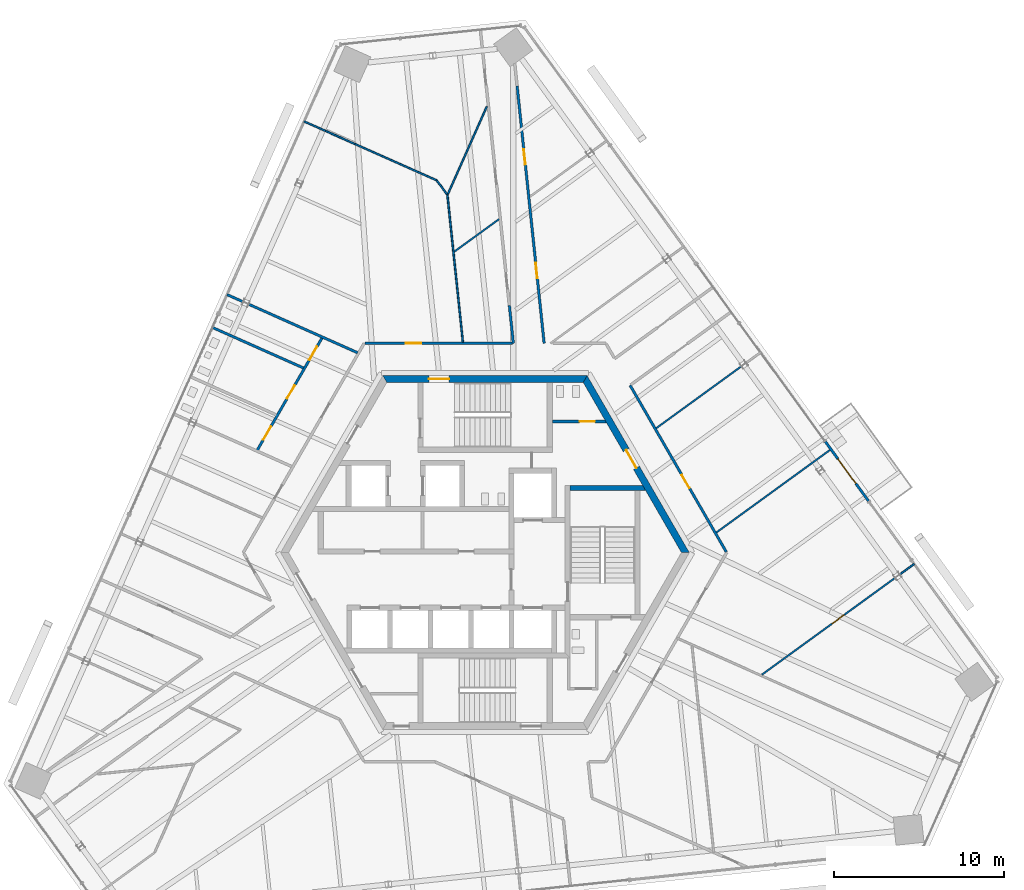
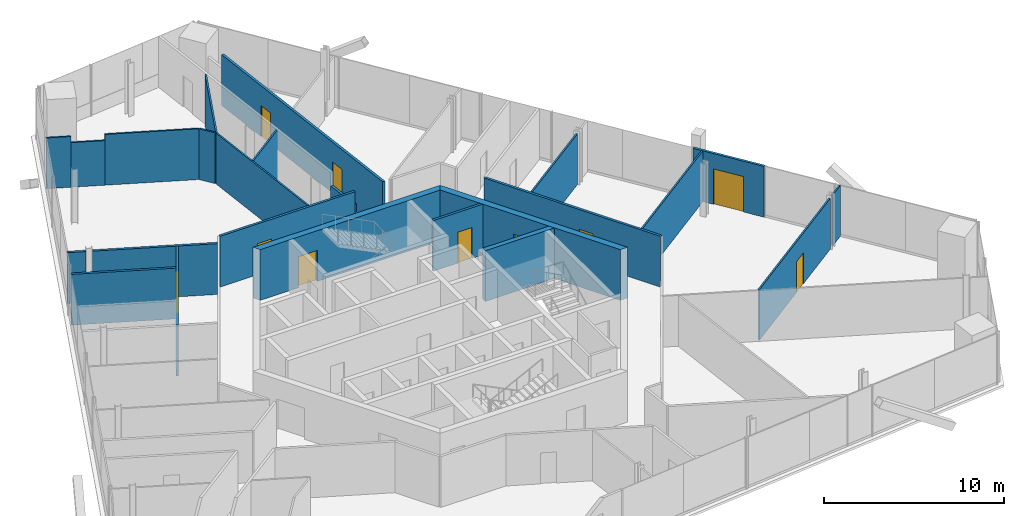
# One storey, part 14 of 19: 24 walls, 12 doors, 12 openings.
"""IFC4 building model written with IfcOpenShell, lengths in metres."""

import ifcopenshell
import ifcopenshell.guid

model = None  # the IFC model being written
_history = None  # IfcOwnerHistory: only IFC2X3 demands one
_inside = {}  # id of a spatial element -> (the spatial element, [elements in it])
_under = {}  # id of a project, library or spatial element -> (it, [spatial elements below it])
_declared = {}  # id of a project -> (the project, [libraries it declares])
_typed = {}  # id of a type object -> (the type object, [elements of that type])
_made_of = {}  # id of a material, layer set ... -> (it, [elements and type objects made of it])


def new_model(schema):
    """Start an empty IFC model of exactly this schema.

    Asked for "IFC4X3", IfcOpenShell would pick the latest addendum, in which some entities
    have other attributes; the version numbers below select the first issue.
    IFC2X3 requires an IfcOwnerHistory on every rooted entity: one is made here for all.
    """
    global model, _history
    if schema == "IFC4X3":
        model = ifcopenshell.file(schema_version=(4, 3, 0, 0))
    else:
        model = ifcopenshell.file(schema=schema)
    _inside.clear()
    _under.clear()
    _declared.clear()
    _typed.clear()
    _made_of.clear()
    _history = None
    if model.schema == "IFC2X3":
        org = make("IfcOrganization", Name="unknown")
        user = make(
            "IfcPersonAndOrganization",
            ThePerson=make("IfcPerson", FamilyName="unknown"),
            TheOrganization=org,
        )
        app = make(
            "IfcApplication",
            ApplicationDeveloper=org,
            Version="unknown",
            ApplicationFullName="unknown",
            ApplicationIdentifier="unknown",
        )
        _history = make(
            "IfcOwnerHistory",
            OwningUser=user,
            OwningApplication=app,
            ChangeAction="ADDED",
            CreationDate=0,
        )
    return model


def make(cls, **values):
    """One entity of the class cls with the attributes given. An attribute that is None is left unset."""
    return model.create_entity(
        cls, **{name: value for name, value in values.items() if value is not None}
    )


def rooted(cls, **values):
    """An entity with a GlobalId (a new one), such as an element, a storey or a relation."""
    return make(cls, GlobalId=ifcopenshell.guid.new(), OwnerHistory=_history, **values)


def si_unit(unit_type, name, prefix=None):
    """IfcSIUnit, for example si_unit("LENGTHUNIT", "METRE", prefix="MILLI")."""
    return make("IfcSIUnit", UnitType=unit_type, Prefix=prefix, Name=name)


def assignment(units):
    """IfcUnitAssignment: the units of a project."""
    return None if units is None else make("IfcUnitAssignment", Units=units)


def point(xyz):
    """IfcCartesianPoint."""
    return None if xyz is None else make("IfcCartesianPoint", Coordinates=xyz)


def direction(xyz):
    """IfcDirection."""
    return None if xyz is None else make("IfcDirection", DirectionRatios=xyz)


def frame(location, z_axis=None, x_axis=None):
    """IfcAxis2Placement3D, a coordinate frame: its origin and axes. An axis left out is left unset."""
    return make(
        "IfcAxis2Placement3D",
        Location=point(location),
        Axis=direction(z_axis),
        RefDirection=direction(x_axis),
    )


def frame_2d(location, x_axis=None):
    """IfcAxis2Placement2D, a coordinate frame in the plane: its origin and x axis."""
    return make(
        "IfcAxis2Placement2D", Location=point(location), RefDirection=direction(x_axis)
    )


def origin():
    """The frame at (0, 0, 0) with its axes left unset."""
    return frame((0.0, 0.0, 0.0))


def place(relative_to, where):
    """IfcLocalPlacement: puts the frame where relative to a parent placement (None: the world)."""
    return make(
        "IfcLocalPlacement", PlacementRelTo=relative_to, RelativePlacement=where
    )


def context(
    kind, dimensions, precision=None, world=None, true_north=None, identifier=None
):
    """IfcGeometricRepresentationContext, for example the 3D "Model" context."""
    return make(
        "IfcGeometricRepresentationContext",
        ContextIdentifier=identifier,
        ContextType=kind,
        CoordinateSpaceDimension=dimensions,
        Precision=precision,
        WorldCoordinateSystem=world,
        TrueNorth=true_north,
    )


def subcontext(parent, identifier, kind, view, scale=None):
    """IfcGeometricRepresentationSubContext, for example "Body" below "Model"."""
    return make(
        "IfcGeometricRepresentationSubContext",
        ContextIdentifier=identifier,
        ContextType=kind,
        ParentContext=parent,
        TargetScale=scale,
        TargetView=view,
    )


def project(units=None, contexts=None):
    """IfcProject with its units and contexts."""
    return rooted(
        "IfcProject",
        Name="project",
        RepresentationContexts=contexts,
        UnitsInContext=assignment(units),
    )


def spatial(cls, under=None, at=None, **own):
    """A site, building, storey or space (cls), placed at a placement, below another one or the project."""
    s = rooted(cls, ObjectPlacement=at, **own)
    if under is not None:
        _under.setdefault(under.id(), (under, []))[1].append(s)
    return s


def polyline(points):
    """IfcPolyline through the points."""
    return make("IfcPolyline", Points=[point(p) for p in points])


def profile(cls, at=None, kind="AREA", **sizes):
    """A parametric profile (cls). Its sizes go by their IFC names, for example OverallWidth=200.0."""
    return make(cls, ProfileType=kind, Position=at, **sizes)


def rectangle(**sizes):
    """IfcRectangleProfileDef."""
    return profile("IfcRectangleProfileDef", **sizes)


def outline(outer, holes=None, kind="AREA"):
    """IfcArbitraryClosedProfileDef: a profile drawn as a closed curve; with holes, ...WithVoids."""
    if holes is None:
        return make("IfcArbitraryClosedProfileDef", ProfileType=kind, OuterCurve=outer)
    return make(
        "IfcArbitraryProfileDefWithVoids",
        ProfileType=kind,
        OuterCurve=outer,
        InnerCurves=holes,
    )


def extrude(swept, where, along, depth):
    """IfcExtrudedAreaSolid: the profile swept, set in the frame where, extruded along a direction by depth."""
    return make(
        "IfcExtrudedAreaSolid",
        SweptArea=swept,
        Position=where,
        ExtrudedDirection=direction(along),
        Depth=depth,
    )


def shape(context_of_items, identifier, shape_type, items):
    """IfcShapeRepresentation: the items that make up one representation, for example the "Body"."""
    return make(
        "IfcShapeRepresentation",
        ContextOfItems=context_of_items,
        RepresentationIdentifier=identifier,
        RepresentationType=shape_type,
        Items=items,
    )


def source(mapping_origin, context_of_items, identifier, shape_type, items):
    """IfcRepresentationMap: a shape defined once, which mapped items show again and again."""
    return make(
        "IfcRepresentationMap",
        MappingOrigin=mapping_origin,
        MappedRepresentation=shape(context_of_items, identifier, shape_type, items),
    )


def transform(
    local_origin,
    x_axis=None,
    y_axis=None,
    z_axis=None,
    scale=None,
    scale2=None,
    scale3=None,
    uniform=True,
):
    """IfcCartesianTransformationOperator3D, or its non-uniform kind. x_axis, y_axis, z_axis: its Axis1, 2, 3."""
    if uniform:
        return make(
            "IfcCartesianTransformationOperator3D",
            Axis1=direction(x_axis),
            Axis2=direction(y_axis),
            LocalOrigin=point(local_origin),
            Scale=scale,
            Axis3=direction(z_axis),
        )
    return make(
        "IfcCartesianTransformationOperator3DnonUniform",
        Axis1=direction(x_axis),
        Axis2=direction(y_axis),
        LocalOrigin=point(local_origin),
        Scale=scale,
        Axis3=direction(z_axis),
        Scale2=scale2,
        Scale3=scale3,
    )


def mapped(mapping_source, mapping_target):
    """IfcMappedItem: shows the shape of a source again, moved by a transform."""
    return make(
        "IfcMappedItem", MappingSource=mapping_source, MappingTarget=mapping_target
    )


def material(Name=None, Category=None):
    """IfcMaterial."""
    return make("IfcMaterial", Name=Name, Category=Category)


def layer(
    of_material, thickness, ventilated=None, Name=None, Category=None, Priority=None
):
    """IfcMaterialLayer: one layer of a wall or slab, of a material (None: an air gap)."""
    return make(
        "IfcMaterialLayer",
        Material=of_material,
        LayerThickness=thickness,
        IsVentilated=ventilated,
        Name=Name,
        Category=Category,
        Priority=Priority,
    )


def layer_set(layers, Name=None):
    """IfcMaterialLayerSet."""
    return make("IfcMaterialLayerSet", MaterialLayers=layers, LayerSetName=Name)


def made_of(thing, what):
    """Note that an element or type object is made of a material, layer set ...; save() writes the relation."""
    if what is not None:
        _made_of.setdefault(what.id(), (what, []))[1].append(thing)
    return thing


def type_object(cls, material=None, **own):
    """A type object (cls), such as IfcWallType, which elements share."""
    return made_of(rooted(cls, **own), material)


def element(
    cls,
    number,
    at=None,
    inside=None,
    cuts=None,
    type_object=None,
    material=None,
    context=None,
    identifier="Body",
    shape_type=None,
    held_by="IfcProductDefinitionShape",
    body=None,
    shapes=None,
    **own,
):
    """One element of the class cls, such as IfcWall. Its Tag is "e" and its number.

    at: its placement. inside: the storey or other place that contains it. cuts: it is an
    opening in that element (IfcRelVoidsElement). A single representation is given by context,
    identifier, shape_type and body (its items); several are given by shapes. held_by: the class
    of the entity that holds the representations. save() writes the other relations.
    """
    e = rooted(cls, Tag="e%d" % number, ObjectPlacement=at, **own)
    if body is not None:
        shapes = [shape(context, identifier, shape_type, body)]
    if shapes is not None:
        e.Representation = make(held_by, Representations=shapes)
    if inside is not None:
        _inside.setdefault(inside.id(), (inside, []))[1].append(e)
    if cuts is not None:
        rooted(
            "IfcRelVoidsElement", RelatingBuildingElement=cuts, RelatedOpeningElement=e
        )
    if type_object is not None:
        _typed.setdefault(type_object.id(), (type_object, []))[1].append(e)
    return made_of(e, material)


def fill(opening, filler):
    """IfcRelFillsElement: the door or window that sits in an opening."""
    return rooted(
        "IfcRelFillsElement",
        RelatingOpeningElement=opening,
        RelatedBuildingElement=filler,
    )


def aggregate(whole, parts):
    """IfcRelAggregates: a whole, such as a stair, and the parts it consists of."""
    return rooted("IfcRelAggregates", RelatingObject=whole, RelatedObjects=parts)


def save(model, path):
    """Write the relations noted so far, then the file.

    IfcRelAggregates (storeys below a building ...), IfcRelContainedInSpatialStructure (elements
    in a storey), IfcRelDefinesByType, IfcRelAssociatesMaterial and IfcRelDeclares: one each for
    every whole, place, type object, material and project.
    """
    for whole, parts in _under.values():
        aggregate(whole, parts)
    for where, things in _inside.values():
        rooted(
            "IfcRelContainedInSpatialStructure",
            RelatedElements=things,
            RelatingStructure=where,
        )
    for kind, things in _typed.values():
        rooted("IfcRelDefinesByType", RelatedObjects=things, RelatingType=kind)
    for what, things in _made_of.values():
        rooted("IfcRelAssociatesMaterial", RelatedObjects=things, RelatingMaterial=what)
    for by, libraries in _declared.values():
        rooted("IfcRelDeclares", RelatingContext=by, RelatedDefinitions=libraries)
    model.write(path)


model = new_model("IFC4")

# Units and contexts
model_context = context("Model", 3, precision=1e-05, world=origin(), true_north=direction((0.0, 1.0)))
body_context = subcontext(model_context, "Body", "Model", "MODEL_VIEW")
ifc_project = project(units=[si_unit("LENGTHUNIT", "METRE"), si_unit("AREAUNIT", "SQUARE_METRE"), si_unit("VOLUMEUNIT", "CUBIC_METRE"), si_unit("PLANEANGLEUNIT", "RADIAN"), si_unit("MASSUNIT", "GRAM", prefix="KILO")], contexts=[model_context])

# Site, building, storey
site_placement = place(None, origin())
site = spatial("IfcSite", under=ifc_project, at=site_placement, CompositionType="ELEMENT")
building_placement = place(site_placement, origin())
building = spatial("IfcBuilding", under=site, at=building_placement, Name="Triune Harvest Tower", CompositionType="ELEMENT")
storey_placement = place(building_placement, frame((0.0, 0.0, 223.300048828125)))
storey = spatial("IfcBuildingStorey", under=building, at=storey_placement, Name="L58", CompositionType="ELEMENT", Elevation=223.300048828125)

# Wall, opening, door
ifc_material_1 = material(Name="Gypsum board on steel studs", Category="steel")
ifc_layer_1 = layer(ifc_material_1, 0.14990234375)
ifc_layer_set_1 = layer_set([ifc_layer_1], Name="Gypsum board on steel studs")
wall_type_1 = type_object("IfcWallType", Name="Fire Partition 150 mm", PredefinedType="PARTITIONING", material=ifc_layer_set_1)
wall_1_placement = place(storey_placement, frame((8.521484375, 9.82470703125, 0.0), z_axis=(0.0, 0.0, 1.0), x_axis=(0.499991269391, -0.866030444345, 0.0)))
wall_1 = element("IfcWall", 1, at=wall_1_placement, inside=storey, type_object=wall_type_1, Name="Partition L58 012", PredefinedType="PARTITIONING", context=body_context, shape_type="SweptSolid", body=[
    extrude(rectangle(XDim=11.294677734375, YDim=0.14990234375, at=frame_2d((5.6474609375, 0.0))), origin(), (0.0, 0.0, 1.0), 3.43994140625),
])
opening_1_placement = place(wall_1_placement, frame((6.0771484375, 0.0, 0.0)))
opening_1 = element("IfcOpeningElement", 2, at=opening_1_placement, cuts=wall_1, Name="Opening L58-003", PredefinedType="OPENING", context=body_context, shape_type="SweptSolid", body=[
    extrude(rectangle(XDim=0.89990234375, YDim=2.10009765625, at=frame_2d((0.449951171875, 1.050048828125))), frame((0.0, 0.0849609375, 0.0), z_axis=(0.0, -1.0, 0.0), x_axis=(1.0, 0.0, 0.0)), (0.0, 0.0, 1.0), 0.169921875),
])
ifc_material_2 = material(Name="Timber and steel door set", Category="steel")
door_type_1 = type_object("IfcDoorType", Name="Single leaf door FD30 right hand 900 x 2100", OperationType="SINGLE_SWING_RIGHT", PredefinedType="DOOR", material=ifc_material_2)
door_1_placement = place(opening_1_placement, origin())
door_1 = element("IfcDoor", 3, at=door_1_placement, inside=storey, type_object=door_type_1, Name="Door L58-003 Pantry 58.03", OperationType="SINGLE_SWING_RIGHT", OverallHeight=2.10009765625, OverallWidth=0.89990234375, PredefinedType="DOOR", context=body_context, shape_type="SweptSolid", body=[
    extrude(rectangle(XDim=0.89990234375, YDim=2.10009765625, at=frame_2d((0.449951171875, 1.050048828125))), frame((0.0, 0.02490234375, 0.0), z_axis=(0.0, -1.0, 0.0), x_axis=(1.0, 0.0, 0.0)), (0.0, 0.0, 1.0), 0.050048828125),
])
fill(opening_1, door_1)

# Walls
ifc_material_3 = material(Name="Gypsum board on steel studs", Category="steel")
ifc_layer_2 = layer(ifc_material_3, 0.10009765625)
ifc_layer_set_2 = layer_set([ifc_layer_2], Name="Gypsum board on steel studs")
wall_type_2 = type_object("IfcWallType", Name="Partition 100 mm", PredefinedType="PARTITIONING", material=ifc_layer_set_2)
wall_2_placement = place(storey_placement, frame((-2.822021484375, 21.84619140625, 0.0), z_axis=(0.0, 0.0, 1.0), x_axis=(0.58784773795, -0.8089715922, 0.0)))
element("IfcWall", 4, at=wall_2_placement, inside=storey, type_object=wall_type_2, Name="Partition L58 013", PredefinedType="PARTITIONING", context=body_context, shape_type="SweptSolid", body=[
    extrude(rectangle(XDim=0.98583984375, YDim=0.10009765625, at=frame_2d((0.492919921875, 0.0))), origin(), (0.0, 0.0, 1.0), 3.43994140625),
])
wall_3_placement = place(storey_placement, frame((-10.62158203125, 25.32421875, 0.0), z_axis=(0.0, 0.0, 1.0), x_axis=(0.913553788903, -0.406717930242, 0.0)))
element("IfcWall", 5, at=wall_3_placement, inside=storey, type_object=wall_type_2, Name="Partition L58 033", PredefinedType="PARTITIONING", context=body_context, shape_type="SweptSolid", body=[
    extrude(rectangle(XDim=1.367919921875, YDim=0.10009765625, at=frame_2d((0.68408203125, 0.0))), origin(), (0.0, 0.0, 1.0), 3.43994140625),
])
wall_4_placement = place(storey_placement, frame((-9.371826171875, 24.767822265625, 0.0), z_axis=(0.0, 0.0, 1.0), x_axis=(0.913514392533, -0.406806409285, 0.0)))
element("IfcWall", 6, at=wall_4_placement, inside=storey, type_object=wall_type_2, Name="Partition L58 033a", PredefinedType="PARTITIONING", context=body_context, shape_type="SweptSolid", body=[
    extrude(rectangle(XDim=1.89892578125, YDim=0.10009765625, at=frame_2d((0.949462890625, 0.0))), origin(), (0.0, 0.0, 1.0), 3.0234375),
])
wall_5_placement = place(storey_placement, frame((-7.63720703125, 23.995361328125, 0.0), z_axis=(0.0, 0.0, 1.0), x_axis=(0.913555105061, -0.406714973927, 0.0)))
element("IfcWall", 7, at=wall_5_placement, inside=storey, type_object=wall_type_2, Name="Partition L58 033b", PredefinedType="PARTITIONING", context=body_context, shape_type="SweptSolid", body=[
    extrude(rectangle(XDim=5.264404296875, YDim=0.10009765625, at=frame_2d((2.63232421875, 0.0))), origin(), (0.0, 0.0, 1.0), 3.43994140625),
])

# Wall, opening, door
wall_6_placement = place(storey_placement, frame((16.25830078125, -7.172119140625, 0.0), z_axis=(0.0, 0.0, 1.0), x_axis=(0.809027108571, 0.587771331044, 0.0)))
wall_6 = element("IfcWall", 8, at=wall_6_placement, inside=storey, type_object=wall_type_2, Name="Partition L58 039", PredefinedType="PARTITIONING", context=body_context, shape_type="SweptSolid", body=[
    extrude(rectangle(XDim=9.6826171875, YDim=0.10009765625, at=frame_2d((4.84130859375, 0.0))), origin(), (0.0, 0.0, 1.0), 3.43994140625),
])
opening_2_placement = place(wall_6_placement, frame((5.080078125, 0.0, 0.0)))
opening_2 = element("IfcOpeningElement", 9, at=opening_2_placement, cuts=wall_6, Name="Opening L58-001", PredefinedType="OPENING", context=body_context, shape_type="SweptSolid", body=[
    extrude(rectangle(XDim=0.89990234375, YDim=2.10009765625, at=frame_2d((0.449951171875, 1.050048828125))), frame((0.0, 0.06005859375, 0.0), z_axis=(0.0, -1.0, 0.0), x_axis=(1.0, 0.0, 0.0)), (0.0, 0.0, 1.0), 0.1201171875),
])
ifc_material_4 = material(Name="Timber and steel door set", Category="steel")
door_type_2 = type_object("IfcDoorType", Name="Single leaf door left hand 900 x 2100", OperationType="SINGLE_SWING_LEFT", PredefinedType="DOOR", material=ifc_material_4)
door_2_placement = place(opening_2_placement, origin())
door_2 = element("IfcDoor", 10, at=door_2_placement, inside=storey, type_object=door_type_2, Name="Door L58-001 Reception 58.01", OperationType="SINGLE_SWING_LEFT", OverallHeight=2.10009765625, OverallWidth=0.89990234375, PredefinedType="DOOR", context=body_context, shape_type="SweptSolid", body=[
    extrude(rectangle(XDim=0.89990234375, YDim=2.10009765625, at=frame_2d((0.449951171875, 1.050048828125))), frame((0.0, 0.02490234375, 0.0), z_axis=(0.0, -1.0, 0.0), x_axis=(1.0, 0.0, 0.0)), (0.0, 0.0, 1.0), 0.050048828125),
])
fill(opening_2, door_2)

# Walls
wall_7_placement = place(storey_placement, frame((13.583740234375, 1.17626953125, 0.0), z_axis=(0.0, 0.0, 1.0), x_axis=(0.809021407685, 0.587779177845, 0.0)))
element("IfcWall", 11, at=wall_7_placement, inside=storey, type_object=wall_type_2, Name="Partition L58 041", PredefinedType="PARTITIONING", context=body_context, shape_type="SweptSolid", body=[
    extrude(rectangle(XDim=8.322509765625, YDim=0.10009765625, at=frame_2d((4.1611328125, 0.0))), origin(), (0.0, 0.0, 1.0), 3.43994140625),
])
wall_8_placement = place(storey_placement, frame((-1.805419921875, 17.673095703125, 0.0), z_axis=(0.0, 0.0, 1.0), x_axis=(0.809045091353, 0.587746578177, 0.0)))
element("IfcWall", 12, at=wall_8_placement, inside=storey, type_object=wall_type_2, Name="Partition L58 053", PredefinedType="PARTITIONING", context=body_context, shape_type="SweptSolid", body=[
    extrude(rectangle(XDim=3.24462890625, YDim=0.10009765625, at=frame_2d((1.622314453125, 0.0))), origin(), (0.0, 0.0, 1.0), 3.43994140625),
])
wall_9_placement = place(storey_placement, frame((-2.202880859375, 21.009033203125, 0.0), z_axis=(0.0, 0.0, 1.0), x_axis=(0.406752615451, 0.913538346116, 0.0)))
element("IfcWall", 13, at=wall_9_placement, inside=storey, type_object=wall_type_2, Name="Partition L58 060", PredefinedType="PARTITIONING", context=body_context, shape_type="SweptSolid", body=[
    extrude(rectangle(XDim=5.67919921875, YDim=0.10009765625, at=frame_2d((2.839599609375, 0.0))), origin(), (0.0, 0.0, 1.0), 3.43994140625),
])

# Wall, opening, door
ifc_material_5 = material(Name="Concrete 70 MPa", Category="concrete")
ifc_layer_3 = layer(ifc_material_5, 0.39990234375)
ifc_layer_set_3 = layer_set([ifc_layer_3], Name="Concrete 70 MPa")
wall_type_3 = type_object("IfcWallType", Name="Core wall 400", PredefinedType="SHEAR", material=ifc_layer_set_3)
shared_shape_1 = source(origin(), body_context, "Body", "SweptSolid", [
    extrude(outline(polyline([(-0.115478515625, -0.199951171875), (11.884521484375, -0.199951171875), (11.653564453125, 0.199951171875), (0.115478515625, 0.199951171875), (-0.115478515625, -0.199951171875)])), origin(), (0.0, 0.0, 1.0), 3.43994140625),
])
wall_10_placement = place(storey_placement, frame((11.76904296875, 0.0, 0.0), z_axis=(0.0, 0.0, 1.0), x_axis=(-0.499996592174, 0.866027371285, 0.0)))
wall_10 = element("IfcWall", 14, at=wall_10_placement, inside=storey, type_object=wall_type_3, Name="Hexagon 0 wall", PredefinedType="SHEAR", context=body_context, shape_type="MappedRepresentation", body=[
    mapped(shared_shape_1, transform((0.0, 0.0, 0.0), scale=1.0)),
])
opening_3_placement = place(wall_10_placement, frame((5.75048828125, 0.0, 0.0)))
opening_3 = element("IfcOpeningElement", 15, at=opening_3_placement, cuts=wall_10, Name="Opening CD-WCP", PredefinedType="OPENING", context=body_context, shape_type="SweptSolid", body=[
    extrude(rectangle(XDim=1.199951171875, YDim=2.10009765625, at=frame_2d((0.60009765625, 1.050048828125))), frame((0.0, 0.2099609375, 0.0), z_axis=(0.0, -1.0, 0.0), x_axis=(1.0, 0.0, 0.0)), (0.0, 0.0, 1.0), 0.419921875),
])
ifc_material_6 = material(Name="Steel S235", Category="steel")
door_type_3 = type_object("IfcDoorType", Name="Lobby door 1200 FD120", OperationType="SINGLE_SWING_LEFT", PredefinedType="DOOR", material=ifc_material_6)
door_3_placement = place(opening_3_placement, frame((1.199951171875, 0.0, 0.0), z_axis=(0.0, 0.0, 1.0), x_axis=(-1.0, 0.0, 0.0)))
door_3 = element("IfcDoor", 16, at=door_3_placement, inside=storey, type_object=door_type_3, Name="Door CD-WCP", OperationType="SINGLE_SWING_RIGHT", OverallHeight=2.10009765625, OverallWidth=1.199951171875, PredefinedType="DOOR", context=body_context, shape_type="SweptSolid", body=[
    extrude(rectangle(XDim=1.199951171875, YDim=2.10009765625, at=frame_2d((0.60009765625, 1.050048828125))), frame((0.0, 0.02490234375, 0.0), z_axis=(0.0, -1.0, 0.0), x_axis=(1.0, 0.0, 0.0)), (0.0, 0.0, 1.0), 0.050048828125),
])
fill(opening_3, door_3)

wall_11_placement = place(storey_placement, frame((5.884521484375, 10.1923828125, 0.0), z_axis=(0.0, 0.0, 1.0), x_axis=(-1.0, 0.0, 0.0)))
wall_11 = element("IfcWall", 17, at=wall_11_placement, inside=storey, type_object=wall_type_3, Name="Hexagon 1 wall", PredefinedType="SHEAR", context=body_context, shape_type="MappedRepresentation", body=[
    mapped(shared_shape_1, transform((0.0, 0.0, 0.0), scale=1.0)),
])
opening_4_placement = place(wall_11_placement, frame((7.984619140625, 0.0, 0.0)))
opening_4 = element("IfcOpeningElement", 18, at=opening_4_placement, cuts=wall_11, Name="Opening CD-S1P", PredefinedType="OPENING", context=body_context, shape_type="SweptSolid", body=[
    extrude(rectangle(XDim=1.199951171875, YDim=2.10009765625, at=frame_2d((0.60009765625, 1.050048828125))), frame((0.0, 0.2099609375, 0.0), z_axis=(0.0, -1.0, 0.0), x_axis=(1.0, 0.0, 0.0)), (0.0, 0.0, 1.0), 0.419921875),
])
ifc_material_7 = material(Name="Steel S235", Category="steel")
door_type_4 = type_object("IfcDoorType", Name="Stair door 1200 FD120", OperationType="SINGLE_SWING_LEFT", PredefinedType="DOOR", material=ifc_material_7)
door_4_placement = place(opening_4_placement, frame((1.199951171875, 0.0, 0.0), z_axis=(0.0, 0.0, 1.0), x_axis=(-1.0, 0.0, 0.0)))
door_4 = element("IfcDoor", 19, at=door_4_placement, inside=storey, type_object=door_type_4, Name="Door CD-S1P", OperationType="SINGLE_SWING_RIGHT", OverallHeight=2.10009765625, OverallWidth=1.199951171875, PredefinedType="DOOR", context=body_context, shape_type="SweptSolid", body=[
    extrude(rectangle(XDim=1.199951171875, YDim=2.10009765625, at=frame_2d((0.60009765625, 1.050048828125))), frame((0.0, 0.02490234375, 0.0), z_axis=(0.0, -1.0, 0.0), x_axis=(1.0, 0.0, 0.0)), (0.0, 0.0, 1.0), 0.050048828125),
])
fill(opening_4, door_4)

# Wall
ifc_material_8 = material(Name="Concrete 70 MPa", Category="concrete")
ifc_layer_4 = layer(ifc_material_8, 0.300048828125)
ifc_layer_set_4 = layer_set([ifc_layer_4], Name="Concrete 70 MPa")
wall_type_4 = type_object("IfcWallType", Name="Core wall 300", PredefinedType="SHEAR", material=ifc_layer_set_4)
shared_shape_2 = source(origin(), body_context, "Body", "SweptSolid", [
    extrude(outline(polyline([(0.0, -0.14990234375), (0.0, 0.14990234375), (4.260009765625, 0.14990234375), (4.43310546875, -0.14990234375), (0.0, -0.14990234375)])), origin(), (0.0, 0.0, 1.0), 3.43994140625),
])
wall_12_placement = place(storey_placement, frame((5.0, 3.800048828125, 0.0), z_axis=(0.0, 0.0, 1.0), x_axis=(1.0, 0.0, 0.0)))
element("IfcWall", 20, at=wall_12_placement, inside=storey, type_object=wall_type_4, Name="Stair e north wall", PredefinedType="SHEAR", context=body_context, shape_type="MappedRepresentation", body=[
    mapped(shared_shape_2, transform((0.0, 0.0, 0.0), scale=1.0)),
])

# Wall, opening, door
ifc_material_9 = material(Name="Concrete masonry unit", Category="masonry")
ifc_layer_5 = layer(ifc_material_9, 0.14990234375)
ifc_layer_set_5 = layer_set([ifc_layer_5], Name="Concrete masonry unit")
wall_type_5 = type_object("IfcWallType", Name="Block partition 150 unrated", PredefinedType="PARTITIONING", material=ifc_layer_set_5)
shared_shape_3 = source(origin(), body_context, "Body", "SweptSolid", [
    extrude(outline(polyline([(0.0, -0.074951171875), (0.0, 0.074951171875), (3.1015625, 0.074951171875), (3.18798828125, -0.074951171875), (0.0, -0.074951171875)])), origin(), (0.0, 0.0, 1.0), 3.43994140625),
])
wall_13_placement = place(storey_placement, frame((3.949951171875, 7.699951171875, 0.0), z_axis=(0.0, 0.0, 1.0), x_axis=(1.0, 0.0, 0.0)))
wall_13 = element("IfcWall", 21, at=wall_13_placement, inside=storey, type_object=wall_type_5, Name="Wc women south wall", PredefinedType="PARTITIONING", context=body_context, shape_type="MappedRepresentation", body=[
    mapped(shared_shape_3, transform((0.0, 0.0, 0.0), scale=1.0)),
])
opening_5_placement = place(wall_13_placement, frame((1.60009765625, 0.0, 0.0)))
opening_5 = element("IfcOpeningElement", 22, at=opening_5_placement, cuts=wall_13, Name="Opening CD-WW", PredefinedType="OPENING", context=body_context, shape_type="SweptSolid", body=[
    extrude(rectangle(XDim=0.89990234375, YDim=2.10009765625, at=frame_2d((0.449951171875, 1.050048828125))), frame((0.0, 0.0849609375, 0.0), z_axis=(0.0, -1.0, 0.0), x_axis=(1.0, 0.0, 0.0)), (0.0, 0.0, 1.0), 0.169921875),
])
ifc_material_10 = material(Name="Timber C24", Category="wood")
door_type_5 = type_object("IfcDoorType", Name="WC door 900", OperationType="SINGLE_SWING_LEFT", PredefinedType="DOOR", material=ifc_material_10)
door_5_placement = place(opening_5_placement, origin())
door_5 = element("IfcDoor", 23, at=door_5_placement, inside=storey, type_object=door_type_5, Name="Door CD-WW", OperationType="SINGLE_SWING_LEFT", OverallHeight=2.10009765625, OverallWidth=0.89990234375, PredefinedType="DOOR", context=body_context, shape_type="SweptSolid", body=[
    extrude(rectangle(XDim=0.89990234375, YDim=2.10009765625, at=frame_2d((0.449951171875, 1.050048828125))), frame((0.0, 0.02490234375, 0.0), z_axis=(0.0, -1.0, 0.0), x_axis=(1.0, 0.0, 0.0)), (0.0, 0.0, 1.0), 0.050048828125),
])
fill(opening_5, door_5)

ifc_material_11 = material(Name="Aluminium bronze anodised", Category="aluminium")
ifc_layer_6 = layer(ifc_material_11, 0.14990234375)
ifc_layer_set_6 = layer_set([ifc_layer_6], Name="Aluminium bronze anodised")
wall_type_6 = type_object("IfcWallType", Name="WW-2 balcony window wall", PredefinedType="ELEMENTEDWALL", material=ifc_layer_set_6)
shared_shape_4 = source(origin(), body_context, "Body", "SweptSolid", [
    extrude(rectangle(XDim=4.31640625, YDim=0.14990234375, at=frame_2d((2.158203125, 0.0))), origin(), (0.0, 0.0, 1.0), 3.43994140625),
])
wall_14_placement = place(storey_placement, frame((19.98876953125, 6.519775390625, 0.0), z_axis=(0.0, 0.0, 1.0), x_axis=(0.587768063577, -0.809029482429, 0.0)))
wall_14 = element("IfcWall", 24, at=wall_14_placement, inside=storey, type_object=wall_type_6, Name="WW-2 B6-F1 L58.4", PredefinedType="ELEMENTEDWALL", context=body_context, shape_type="MappedRepresentation", body=[
    mapped(shared_shape_4, transform((0.0, 0.0, 0.0), scale=1.0)),
])
opening_6_placement = place(wall_14_placement, frame((1.25830078125, 0.0, 0.0)))
opening_6 = element("IfcOpeningElement", 25, at=opening_6_placement, cuts=wall_14, Name="Opening L58-E01", PredefinedType="OPENING", context=body_context, shape_type="SweptSolid", body=[
    extrude(rectangle(XDim=1.800048828125, YDim=2.39990234375, at=frame_2d((0.89990234375, 1.199951171875))), frame((0.0, 0.0849609375, 0.0), z_axis=(0.0, -1.0, 0.0), x_axis=(1.0, 0.0, 0.0)), (0.0, 0.0, 1.0), 0.169921875),
])
ifc_material_12 = material(Name="Glass", Category="glass")
door_type_6 = type_object("IfcDoorType", Name="DB-1 balcony door 1800 x 2400", OperationType="DOUBLE_DOOR_SINGLE_SWING", PredefinedType="DOOR", material=ifc_material_12)
door_6_placement = place(opening_6_placement, origin())
door_6 = element("IfcDoor", 26, at=door_6_placement, inside=storey, type_object=door_type_6, Name="Door L58-E01", OperationType="DOUBLE_DOOR_SINGLE_SWING", OverallHeight=2.39990234375, OverallWidth=1.800048828125, PredefinedType="DOOR", context=body_context, shape_type="SweptSolid", body=[
    extrude(rectangle(XDim=1.800048828125, YDim=2.39990234375, at=frame_2d((0.89990234375, 1.199951171875))), frame((0.0, 0.02490234375, 0.0), z_axis=(0.0, -1.0, 0.0), x_axis=(1.0, 0.0, 0.0)), (0.0, 0.0, 1.0), 0.050048828125),
])
fill(opening_6, door_6)

# Walls
shared_shape_5 = source(origin(), body_context, "Body", "SweptSolid", [
    extrude(rectangle(XDim=8.695556640625, YDim=0.10009765625, at=frame_2d((4.34765625, 0.0))), origin(), (0.0, 0.0, 1.0), 3.43994140625),
])
wall_15_placement = place(storey_placement, frame((-2.207275390625, 21.0, 0.0), z_axis=(0.0, 0.0, 1.0), x_axis=(0.104528401575, -0.994521901852, 0.0)))
element("IfcWall", 27, at=wall_15_placement, inside=storey, type_object=wall_type_2, Name="Partition L58 001", PredefinedType="PARTITIONING", context=body_context, shape_type="MappedRepresentation", body=[
    mapped(shared_shape_5, transform((0.0, 0.0, 0.0), scale=1.0)),
])
shared_shape_6 = source(origin(), body_context, "Body", "SweptSolid", [
    extrude(rectangle(XDim=1.0478515625, YDim=0.10009765625, at=frame_2d((0.52392578125, 0.0))), origin(), (0.0, 0.0, 1.0), 3.43994140625),
])
wall_16_placement = place(storey_placement, frame((24.36328125, -1.28369140625, 0.0), z_axis=(0.0, 0.0, 1.0), x_axis=(0.808967759712, 0.587853012025, 0.0)))
element("IfcWall", 28, at=wall_16_placement, inside=storey, type_object=wall_type_2, Name="Partition L58 040", PredefinedType="PARTITIONING", context=body_context, shape_type="MappedRepresentation", body=[
    mapped(shared_shape_6, transform((0.0, 0.0, 0.0), scale=1.0)),
])
shared_shape_7 = source(origin(), body_context, "Body", "SweptSolid", [
    extrude(rectangle(XDim=2.226318359375, YDim=0.14990234375, at=frame_2d((1.11328125, 0.0))), origin(), (0.0, 0.0, 1.0), 2.525634765625),
])
wall_17_placement = place(storey_placement, frame((1.43115234375, 14.50634765625, 0.0), z_axis=(0.0, 0.0, 1.0), x_axis=(0.104507821551, -0.994524064684, 0.0)))
element("IfcWall", 29, at=wall_17_placement, inside=storey, type_object=wall_type_1, Name="Partition L58 004a", PredefinedType="PARTITIONING", context=body_context, shape_type="MappedRepresentation", body=[
    mapped(shared_shape_7, transform((0.0, 0.0, 0.0), scale=1.0)),
])

# Wall, openings, doors
shared_shape_8 = source(origin(), body_context, "Body", "SweptSolid", [
    extrude(rectangle(XDim=15.193603515625, YDim=0.14990234375, at=frame_2d((7.5966796875, 0.0))), origin(), (0.0, 0.0, 1.0), 3.43994140625),
])
wall_18_placement = place(storey_placement, frame((1.88525390625, 27.402587890625, 0.0), z_axis=(0.0, 0.0, 1.0), x_axis=(0.104542586969, -0.994520410806, 0.0)))
wall_18 = element("IfcWall", 30, at=wall_18_placement, inside=storey, type_object=wall_type_1, Name="Partition L58 006a", PredefinedType="PARTITIONING", context=body_context, shape_type="MappedRepresentation", body=[
    mapped(shared_shape_8, transform((0.0, 0.0, 0.0), scale=1.0)),
])
opening_7_placement = place(wall_18_placement, frame((10.443603515625, 0.0, 0.0)))
opening_7 = element("IfcOpeningElement", 31, at=opening_7_placement, cuts=wall_18, Name="Opening L58-007", PredefinedType="OPENING", context=body_context, shape_type="SweptSolid", body=[
    extrude(rectangle(XDim=0.89990234375, YDim=2.10009765625, at=frame_2d((0.449951171875, 1.050048828125))), frame((0.0, 0.0849609375, 0.0), z_axis=(0.0, -1.0, 0.0), x_axis=(1.0, 0.0, 0.0)), (0.0, 0.0, 1.0), 0.169921875),
])
opening_8_placement = place(wall_18_placement, frame((3.734130859375, 0.0, 0.0)))
opening_8 = element("IfcOpeningElement", 32, at=opening_8_placement, cuts=wall_18, Name="Opening L58-009", PredefinedType="OPENING", context=body_context, shape_type="SweptSolid", body=[
    extrude(rectangle(XDim=0.89990234375, YDim=2.10009765625, at=frame_2d((0.449951171875, 1.050048828125))), frame((0.0, 0.0849609375, 0.0), z_axis=(0.0, -1.0, 0.0), x_axis=(1.0, 0.0, 0.0)), (0.0, 0.0, 1.0), 0.169921875),
])
ifc_material_13 = material(Name="Timber and steel door set", Category="steel")
door_type_7 = type_object("IfcDoorType", Name="Single leaf door FD30 left hand 900 x 2100", OperationType="SINGLE_SWING_LEFT", PredefinedType="DOOR", material=ifc_material_13)
door_7_placement = place(opening_8_placement, origin())
door_7 = element("IfcDoor", 33, at=door_7_placement, inside=storey, type_object=door_type_7, Name="Door L58-009 Office 58.09", OperationType="SINGLE_SWING_LEFT", OverallHeight=2.10009765625, OverallWidth=0.89990234375, PredefinedType="DOOR", context=body_context, shape_type="SweptSolid", body=[
    extrude(rectangle(XDim=0.89990234375, YDim=2.10009765625, at=frame_2d((0.449951171875, 1.050048828125))), frame((0.0, 0.02490234375, 0.0), z_axis=(0.0, -1.0, 0.0), x_axis=(1.0, 0.0, 0.0)), (0.0, 0.0, 1.0), 0.050048828125),
])
fill(opening_8, door_7)
door_8_placement = place(opening_7_placement, origin())
door_8 = element("IfcDoor", 34, at=door_8_placement, inside=storey, type_object=door_type_1, Name="Door L58-007 Open Office 58.07", OperationType="SINGLE_SWING_RIGHT", OverallHeight=2.10009765625, OverallWidth=0.89990234375, PredefinedType="DOOR", context=body_context, shape_type="SweptSolid", body=[
    extrude(rectangle(XDim=0.89990234375, YDim=2.10009765625, at=frame_2d((0.449951171875, 1.050048828125))), frame((0.0, 0.02490234375, 0.0), z_axis=(0.0, -1.0, 0.0), x_axis=(1.0, 0.0, 0.0)), (0.0, 0.0, 1.0), 0.050048828125),
])
fill(opening_7, door_8)

# Walls
shared_shape_9 = source(origin(), body_context, "Body", "SweptSolid", [
    extrude(rectangle(XDim=5.85595703125, YDim=0.14990234375, at=frame_2d((2.927978515625, 0.0))), origin(), (0.0, 0.0, 1.0), 3.43994140625),
])
wall_19_placement = place(storey_placement, frame((-16.009521484375, 13.222412109375, 0.0), z_axis=(0.0, 0.0, 1.0), x_axis=(0.913543148674, -0.406741829065, 0.0)))
element("IfcWall", 35, at=wall_19_placement, inside=storey, type_object=wall_type_1, Name="Partition L58 030", PredefinedType="PARTITIONING", context=body_context, shape_type="MappedRepresentation", body=[
    mapped(shared_shape_9, transform((0.0, 0.0, 0.0), scale=1.0)),
])
shared_shape_10 = source(origin(), body_context, "Body", "SweptSolid", [
    extrude(rectangle(XDim=1.0478515625, YDim=0.14990234375, at=frame_2d((0.52392578125, 0.0))), origin(), (0.0, 0.0, 1.0), 3.43994140625),
])
wall_20_placement = place(storey_placement, frame((-15.150634765625, 15.151611328125, 0.0), z_axis=(0.0, 0.0, 1.0), x_axis=(0.913609658968, -0.406592413899, 0.0)))
element("IfcWall", 36, at=wall_20_placement, inside=storey, type_object=wall_type_1, Name="Partition L58 031", PredefinedType="PARTITIONING", context=body_context, shape_type="MappedRepresentation", body=[
    mapped(shared_shape_10, transform((0.0, 0.0, 0.0), scale=1.0)),
])
shared_shape_11 = source(origin(), body_context, "Body", "SweptSolid", [
    extrude(rectangle(XDim=7.007080078125, YDim=0.14990234375, at=frame_2d((3.50341796875, 0.0))), origin(), (0.0, 0.0, 1.0), 3.43994140625),
])
wall_21_placement = place(storey_placement, frame((-13.88671875, 14.589111328125, 0.0), z_axis=(0.0, 0.0, 1.0), x_axis=(0.913544112906, -0.406739663389, 0.0)))
element("IfcWall", 37, at=wall_21_placement, inside=storey, type_object=wall_type_1, Name="Partition L58 032", PredefinedType="PARTITIONING", context=body_context, shape_type="MappedRepresentation", body=[
    mapped(shared_shape_11, transform((0.0, 0.0, 0.0), scale=1.0)),
])

# Wall, opening, door
shared_shape_12 = source(origin(), body_context, "Body", "SweptSolid", [
    extrude(rectangle(XDim=8.651123046875, YDim=0.14990234375, at=frame_2d((4.32568359375, 0.0))), origin(), (0.0, 0.0, 1.0), 3.43994140625),
])
wall_22_placement = place(storey_placement, frame((-7.047119140625, 12.292236328125, 0.0), z_axis=(0.0, 0.0, 1.0), x_axis=(1.0, 0.0, 0.0)))
wall_22 = element("IfcWall", 38, at=wall_22_placement, inside=storey, type_object=wall_type_1, Name="Partition L58 036", PredefinedType="PARTITIONING", context=body_context, shape_type="MappedRepresentation", body=[
    mapped(shared_shape_12, transform((0.0, 0.0, 0.0), scale=1.0)),
])
opening_9_placement = place(wall_22_placement, frame((2.405029296875, 0.0, 0.0)))
opening_9 = element("IfcOpeningElement", 39, at=opening_9_placement, cuts=wall_22, Name="Opening L58-011", PredefinedType="OPENING", context=body_context, shape_type="SweptSolid", body=[
    extrude(rectangle(XDim=0.89990234375, YDim=2.10009765625, at=frame_2d((0.449951171875, 1.050048828125))), frame((0.0, 0.0849609375, 0.0), z_axis=(0.0, -1.0, 0.0), x_axis=(1.0, 0.0, 0.0)), (0.0, 0.0, 1.0), 0.169921875),
])
door_9_placement = place(opening_9_placement, origin())
door_9 = element("IfcDoor", 40, at=door_9_placement, inside=storey, type_object=door_type_7, Name="Door L58-011 Office 58.11", OperationType="SINGLE_SWING_LEFT", OverallHeight=2.10009765625, OverallWidth=0.89990234375, PredefinedType="DOOR", context=body_context, shape_type="SweptSolid", body=[
    extrude(rectangle(XDim=0.89990234375, YDim=2.10009765625, at=frame_2d((0.449951171875, 1.050048828125))), frame((0.0, 0.02490234375, 0.0), z_axis=(0.0, -1.0, 0.0), x_axis=(1.0, 0.0, 0.0)), (0.0, 0.0, 1.0), 0.050048828125),
])
fill(opening_9, door_9)

# Wall
shared_shape_13 = source(origin(), body_context, "Body", "SweptSolid", [
    extrude(rectangle(XDim=6.2001953125, YDim=0.10009765625, at=frame_2d((3.10009765625, 0.0))), origin(), (0.0, 0.0, 1.0), 3.43994140625),
])
wall_23_placement = place(storey_placement, frame((10.0478515625, 7.300537109375, 0.0), z_axis=(0.0, 0.0, 1.0), x_axis=(0.808994828155, 0.587815760267, 0.0)))
element("IfcWall", 41, at=wall_23_placement, inside=storey, type_object=wall_type_2, Name="Partition L58 044", PredefinedType="PARTITIONING", context=body_context, shape_type="MappedRepresentation", body=[
    mapped(shared_shape_13, transform((0.0, 0.0, 0.0), scale=1.0)),
])

# Wall, openings, doors
shared_shape_14 = source(origin(), body_context, "Body", "SweptSolid", [
    extrude(rectangle(XDim=7.72216796875, YDim=0.14990234375, at=frame_2d((3.861083984375, 0.0))), origin(), (0.0, 0.0, 1.0), 3.43994140625),
])
wall_24_placement = place(storey_placement, frame((-13.404296875, 5.9677734375, 0.0), z_axis=(0.0, 0.0, 1.0), x_axis=(0.500005250434, 0.866022372424, 0.0)))
wall_24 = element("IfcWall", 42, at=wall_24_placement, inside=storey, type_object=wall_type_1, Name="Partition L58 058", PredefinedType="PARTITIONING", context=body_context, shape_type="MappedRepresentation", body=[
    mapped(shared_shape_14, transform((0.0, 0.0, 0.0), scale=1.0)),
])
opening_10_placement = place(wall_24_placement, frame((6.172119140625, 0.0, 0.0)))
opening_10 = element("IfcOpeningElement", 43, at=opening_10_placement, cuts=wall_24, Name="Opening L58-013", PredefinedType="OPENING", context=body_context, shape_type="SweptSolid", body=[
    extrude(rectangle(XDim=0.89990234375, YDim=2.10009765625, at=frame_2d((0.449951171875, 1.050048828125))), frame((0.0, 0.0849609375, 0.0), z_axis=(0.0, -1.0, 0.0), x_axis=(1.0, 0.0, 0.0)), (0.0, 0.0, 1.0), 0.169921875),
])
opening_11_placement = place(wall_24_placement, frame((3.548583984375, 0.0, 0.0)))
opening_11 = element("IfcOpeningElement", 44, at=opening_11_placement, cuts=wall_24, Name="Opening L58-014", PredefinedType="OPENING", context=body_context, shape_type="SweptSolid", body=[
    extrude(rectangle(XDim=0.89990234375, YDim=2.10009765625, at=frame_2d((0.449951171875, 1.050048828125))), frame((0.0, 0.0849609375, 0.0), z_axis=(0.0, -1.0, 0.0), x_axis=(1.0, 0.0, 0.0)), (0.0, 0.0, 1.0), 0.169921875),
])
opening_12_placement = place(wall_24_placement, frame((0.763427734375, 0.0, 0.0)))
opening_12 = element("IfcOpeningElement", 45, at=opening_12_placement, cuts=wall_24, Name="Opening L58-015", PredefinedType="OPENING", context=body_context, shape_type="SweptSolid", body=[
    extrude(rectangle(XDim=0.89990234375, YDim=2.10009765625, at=frame_2d((0.449951171875, 1.050048828125))), frame((0.0, 0.0849609375, 0.0), z_axis=(0.0, -1.0, 0.0), x_axis=(1.0, 0.0, 0.0)), (0.0, 0.0, 1.0), 0.169921875),
])
door_10_placement = place(opening_12_placement, origin())
door_10 = element("IfcDoor", 46, at=door_10_placement, inside=storey, type_object=door_type_7, Name="Door L58-015 Accessible WC 58.15", OperationType="SINGLE_SWING_LEFT", OverallHeight=2.10009765625, OverallWidth=0.89990234375, PredefinedType="DOOR", context=body_context, shape_type="SweptSolid", body=[
    extrude(rectangle(XDim=0.89990234375, YDim=2.10009765625, at=frame_2d((0.449951171875, 1.050048828125))), frame((0.0, 0.02490234375, 0.0), z_axis=(0.0, -1.0, 0.0), x_axis=(1.0, 0.0, 0.0)), (0.0, 0.0, 1.0), 0.050048828125),
])
fill(opening_12, door_10)
door_11_placement = place(opening_10_placement, origin())
door_11 = element("IfcDoor", 47, at=door_11_placement, inside=storey, type_object=door_type_1, Name="Door L58-013 Women's WC 58.13", OperationType="SINGLE_SWING_RIGHT", OverallHeight=2.10009765625, OverallWidth=0.89990234375, PredefinedType="DOOR", context=body_context, shape_type="SweptSolid", body=[
    extrude(rectangle(XDim=0.89990234375, YDim=2.10009765625, at=frame_2d((0.449951171875, 1.050048828125))), frame((0.0, 0.02490234375, 0.0), z_axis=(0.0, -1.0, 0.0), x_axis=(1.0, 0.0, 0.0)), (0.0, 0.0, 1.0), 0.050048828125),
])
fill(opening_10, door_11)
door_12_placement = place(opening_11_placement, origin())
door_12 = element("IfcDoor", 48, at=door_12_placement, inside=storey, type_object=door_type_1, Name="Door L58-014 Men's WC 58.14", OperationType="SINGLE_SWING_RIGHT", OverallHeight=2.10009765625, OverallWidth=0.89990234375, PredefinedType="DOOR", context=body_context, shape_type="SweptSolid", body=[
    extrude(rectangle(XDim=0.89990234375, YDim=2.10009765625, at=frame_2d((0.449951171875, 1.050048828125))), frame((0.0, 0.02490234375, 0.0), z_axis=(0.0, -1.0, 0.0), x_axis=(1.0, 0.0, 0.0)), (0.0, 0.0, 1.0), 0.050048828125),
])
fill(opening_11, door_12)

save(model, "model.ifc")
